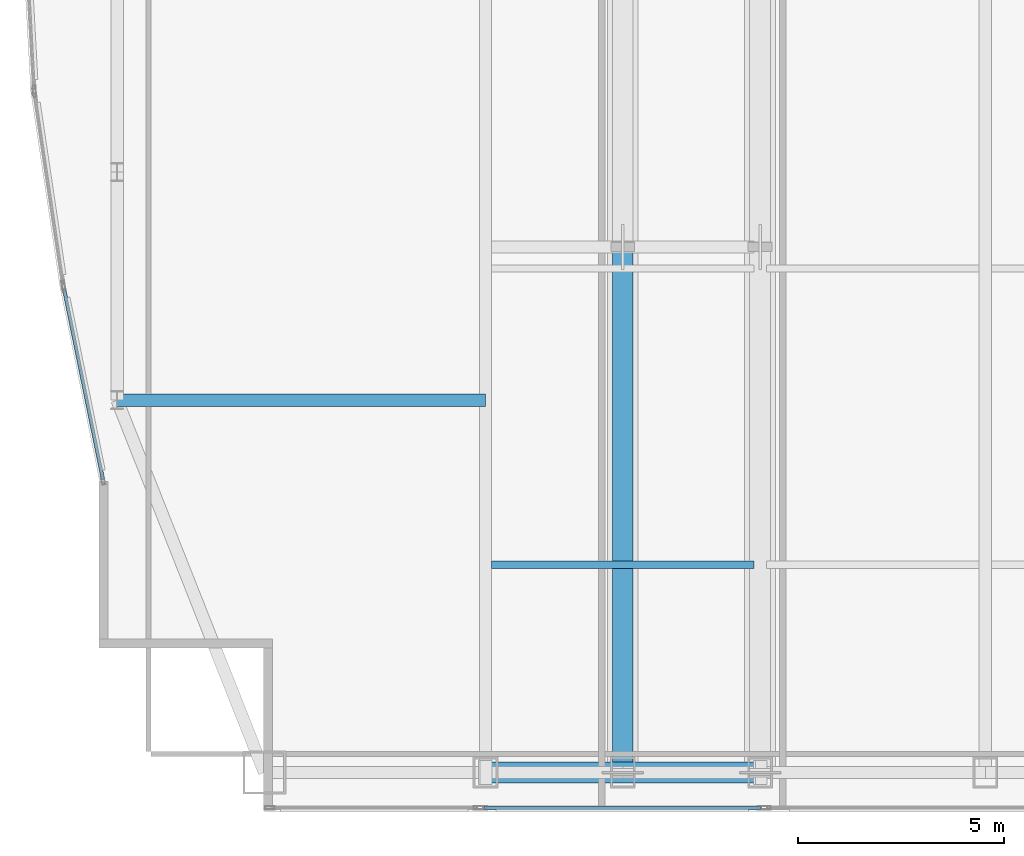
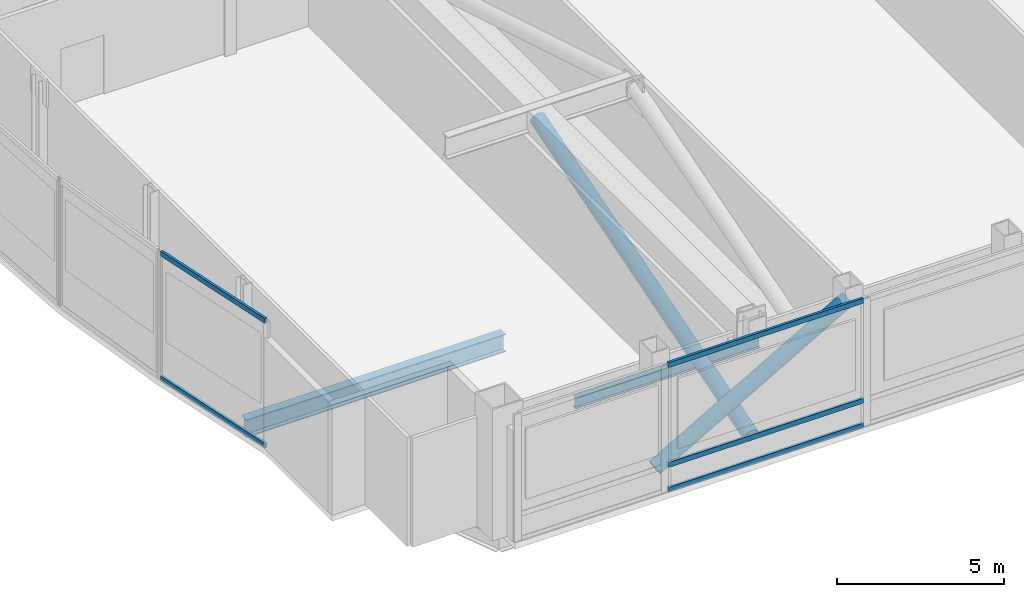
# One storey, part 6 of 32: 7 members, 2 beams, 2 elements without a shape of their own.
"""IFC4 building model written with IfcOpenShell, lengths in metres."""

from ifc_helpers import new_model, si_unit, direction, frame, origin, origin_2d, place, context, subcontext, project, spatial, hollow_rectangle, hollow_circle, i_section, extrude, material, material_profile, profile_set, type_object, element, aggregate, save


model = new_model("IFC4")

# Units and contexts
model_context = context("Model", 3, precision=1e-05, world=origin(), true_north=direction((0.0, 1.0)))
body_context = subcontext(model_context, "Body", "Model", "MODEL_VIEW")
ifc_project = project(units=[si_unit("LENGTHUNIT", "METRE"), si_unit("AREAUNIT", "SQUARE_METRE"), si_unit("VOLUMEUNIT", "CUBIC_METRE"), si_unit("PLANEANGLEUNIT", "RADIAN"), si_unit("MASSUNIT", "GRAM", prefix="KILO")], contexts=[model_context])

# Site, building, storey
site_placement = place(None, origin())
site = spatial("IfcSite", under=ifc_project, at=site_placement, CompositionType="ELEMENT")
building_placement = place(site_placement, origin())
building = spatial("IfcBuilding", under=site, at=building_placement, Name="Khoronbel Lancet Exchange", CompositionType="ELEMENT")
storey_placement = place(building_placement, frame((0.0, 0.0, 257.0)))
storey = spatial("IfcBuildingStorey", under=building, at=storey_placement, Name="L66", CompositionType="ELEMENT", Elevation=257.0)

# Beams
ifc_material_1 = material(Name="Steel S355", Category="steel")
ifc_material_profile_1 = material_profile(ifc_material_1, i_section(OverallWidth=0.300048828125, OverallDepth=0.64990234375, WebThickness=0.01611328125, FlangeThickness=0.031005859375, at=origin_2d()), Name="HEB 650")
ifc_profile_set_1 = profile_set([ifc_material_profile_1], Name="Steel S355")
beam_type_1 = type_object("IfcBeamType", Name="BM-BG4", PredefinedType="BEAM", material=ifc_profile_set_1)
beam_1_placement = place(storey_placement, frame((9.27001953125, 19.199951171875, -0.544921875), z_axis=(1.0, 0.0, 0.0), x_axis=(0.0, 1.0, 0.0)))
element("IfcBeam", 1, at=beam_1_placement, inside=storey, type_object=beam_type_1, Name="Level L66 west lens tie girder LG1W", PredefinedType="BEAM", context=body_context, shape_type="SweptSolid", body=[
    extrude(i_section(OverallWidth=0.300048828125, OverallDepth=0.64990234375, WebThickness=0.01611328125, FlangeThickness=0.031005859375, at=origin_2d()), origin(), (0.0, 0.0, 1.0), 8.955078125),
])
ifc_material_profile_2 = material_profile(ifc_material_1, i_section(OverallWidth=0.179931640625, OverallDepth=0.39990234375, WebThickness=0.008544921875, FlangeThickness=0.013427734375, at=origin_2d()), Name="IPE 400")
ifc_profile_set_2 = profile_set([ifc_material_profile_2], Name="Steel S355")
beam_type_2 = type_object("IfcBeamType", Name="BM-BJ5", PredefinedType="JOIST", material=ifc_profile_set_2)
beam_2_placement = place(storey_placement, frame((18.375, 15.199951171875, -0.419921875), z_axis=(1.0, 0.0, 0.0), x_axis=(0.0, 1.0, 0.0)))
element("IfcBeam", 2, at=beam_2_placement, inside=storey, type_object=beam_type_2, Name="Level L66 secondary composite joist J01", PredefinedType="JOIST", context=body_context, shape_type="SweptSolid", body=[
    extrude(i_section(OverallWidth=0.179931640625, OverallDepth=0.39990234375, WebThickness=0.008544921875, FlangeThickness=0.013427734375, at=origin_2d()), origin(), (0.0, 0.0, 1.0), 6.375),
])

# Curtain wall, members
ifc_material_2 = material(Name="Low-E Solar Control Insulating Glass", Category="glass")
curtain_wall_type_1 = type_object("IfcCurtainWallType", Name="CW-4", PredefinedType="NOTDEFINED", material=ifc_material_2)
curtain_wall_1_placement = place(storey_placement, origin())
curtain_wall_1 = element("IfcCurtainWall", 3, at=curtain_wall_1_placement, inside=storey, type_object=curtain_wall_type_1, Name="Unitised curtain wall CW-L66-E04", PredefinedType="NOTDEFINED")
ifc_material_3 = material(Name="Bronze-Anodised Aluminium 6063-T6", Category="aluminium")
ifc_material_profile_3 = material_profile(ifc_material_3, hollow_rectangle(XDim=0.0849609375, YDim=0.179931640625, WallThickness=0.0048828125, at=origin_2d()), Name="ALU TRANSOM 85x180")
ifc_profile_set_3 = profile_set([ifc_material_profile_3], Name="Bronze-Anodised Aluminium 6063-T6")
member_type_1 = type_object("IfcMemberType", Name="MEM-CWT1", PredefinedType="USERDEFINED", material=ifc_profile_set_3)
member_1_placement = place(storey_placement, frame((8.925048828125, 17.282470703125, 0.04248046875), z_axis=(-0.200036259309, 0.979788495014, 0.0), x_axis=(-0.979788495014, -0.200036259309, 0.0)))
member_1 = element("IfcMember", 4, at=member_1_placement, type_object=member_type_1, Name="CW4 transom 1.1", ObjectType="TRANSOM", PredefinedType="USERDEFINED", context=body_context, shape_type="SweptSolid", body=[
    extrude(hollow_rectangle(XDim=0.0849609375, YDim=0.179931640625, WallThickness=0.0048828125, at=origin_2d()), origin(), (0.0, 0.0, 1.0), 4.705078125),
])
member_2_placement = place(storey_placement, frame((8.925048828125, 17.282470703125, 4.597412109375), z_axis=(-0.200036259309, 0.979788495014, 0.0), x_axis=(-0.979788495014, -0.200036259309, 0.0)))
member_2 = element("IfcMember", 5, at=member_2_placement, type_object=member_type_1, Name="CW4 transom 1.2", ObjectType="TRANSOM", PredefinedType="USERDEFINED", context=body_context, shape_type="SweptSolid", body=[
    extrude(hollow_rectangle(XDim=0.0849609375, YDim=0.179931640625, WallThickness=0.0048828125, at=origin_2d()), origin(), (0.0, 0.0, 1.0), 4.705078125),
])
aggregate(curtain_wall_1, [member_1, member_2])

curtain_wall_type_2 = type_object("IfcCurtainWallType", Name="CW-3", PredefinedType="NOTDEFINED", material=ifc_material_2)
curtain_wall_2_placement = place(storey_placement, origin())
curtain_wall_2 = element("IfcCurtainWall", 6, at=curtain_wall_2_placement, inside=storey, type_object=curtain_wall_type_2, Name="Unitised curtain wall CW-L66-SWB", PredefinedType="NOTDEFINED")
member_3_placement = place(storey_placement, frame((18.18505859375, 9.2900390625, 0.04248046875), z_axis=(1.0, 0.0, 0.0), x_axis=(0.0, 1.0, 0.0)))
member_3 = element("IfcMember", 7, at=member_3_placement, type_object=member_type_1, Name="CW3 transom 1.1", ObjectType="TRANSOM", PredefinedType="USERDEFINED", context=body_context, shape_type="SweptSolid", body=[
    extrude(hollow_rectangle(XDim=0.0849609375, YDim=0.179931640625, WallThickness=0.0048828125, at=origin_2d()), origin(), (0.0, 0.0, 1.0), 6.72998046875),
])
member_4_placement = place(storey_placement, frame((18.18505859375, 9.2900390625, 0.949951171875), z_axis=(1.0, 0.0, 0.0), x_axis=(0.0, 1.0, 0.0)))
member_4 = element("IfcMember", 8, at=member_4_placement, type_object=member_type_1, Name="CW3 transom 1.2", ObjectType="TRANSOM", PredefinedType="USERDEFINED", context=body_context, shape_type="SweptSolid", body=[
    extrude(hollow_rectangle(XDim=0.0849609375, YDim=0.179931640625, WallThickness=0.0048828125, at=origin_2d()), origin(), (0.0, 0.0, 1.0), 6.72998046875),
])
member_5_placement = place(storey_placement, frame((18.18505859375, 9.2900390625, 4.597412109375), z_axis=(1.0, 0.0, 0.0), x_axis=(0.0, 1.0, 0.0)))
member_5 = element("IfcMember", 9, at=member_5_placement, type_object=member_type_1, Name="CW3 transom 1.3", ObjectType="TRANSOM", PredefinedType="USERDEFINED", context=body_context, shape_type="SweptSolid", body=[
    extrude(hollow_rectangle(XDim=0.0849609375, YDim=0.179931640625, WallThickness=0.0048828125, at=origin_2d()), origin(), (0.0, 0.0, 1.0), 6.72998046875),
])
aggregate(curtain_wall_2, [member_3, member_4, member_5])

# Members
ifc_material_4 = material(Name="Steel S460", Category="steel")
ifc_material_profile_4 = material_profile(ifc_material_4, hollow_circle(Radius=0.25390625, WallThickness=0.02490234375, at=origin_2d()), Name="CHS 508x25")
ifc_profile_set_4 = profile_set([ifc_material_profile_4], Name="Steel S460")
member_type_2 = type_object("IfcMemberType", Name="MEM-OBR2", PredefinedType="BRACE", material=ifc_profile_set_4)
member_6_placement = place(storey_placement, frame((21.5625, 10.14990234375, 0.300048828125), z_axis=(0.0, 0.957675542022, 0.287849884857), x_axis=(-1.0, 0.0, 0.0)))
element("IfcMember", 10, at=member_6_placement, inside=storey, type_object=member_type_2, Name="Outrigger truss diagonal L66-1-1", PredefinedType="BRACE", context=body_context, shape_type="SweptSolid", body=[
    extrude(hollow_circle(Radius=0.25390625, WallThickness=0.02490234375, at=origin_2d()), origin(), (0.0, 0.0, 1.0), 13.33984375),
])
member_7_placement = place(storey_placement, frame((18.22509765625, 10.14990234375, 0.300048828125), z_axis=(0.866803531383, 0.0, 0.498649814982), x_axis=(0.0, 1.0, 0.0)))
element("IfcMember", 11, at=member_7_placement, inside=storey, type_object=member_type_2, Name="Perimeter belt-truss diagonal L66-1", PredefinedType="BRACE", context=body_context, shape_type="SweptSolid", body=[
    extrude(hollow_circle(Radius=0.25390625, WallThickness=0.02490234375, at=origin_2d()), origin(), (0.0, 0.0, 1.0), 7.700439453125),
])

save(model, "model.ifc")
